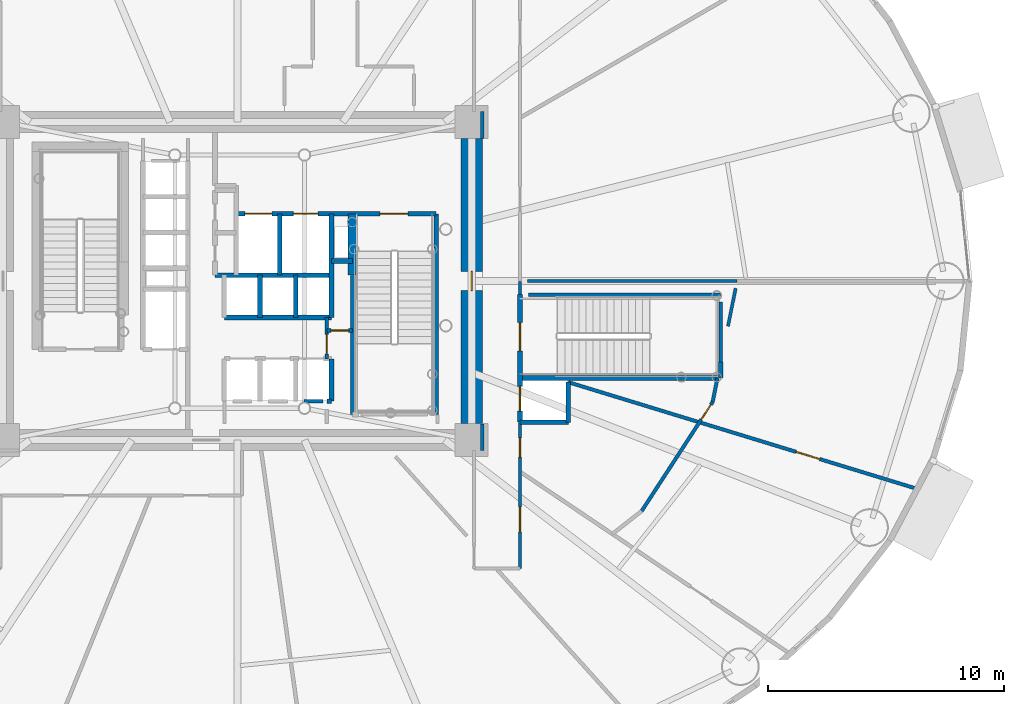
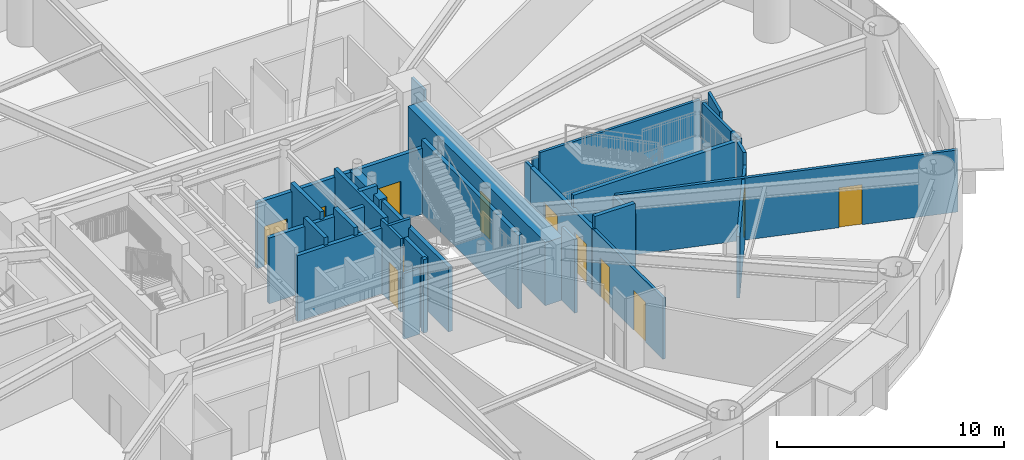
# One storey, part 15 of 29: 33 walls, 12 doors, 12 openings.
"""IFC4 building model written with IfcOpenShell, lengths in metres."""

from ifc_helpers import new_model, si_unit, direction, frame, frame_2d, origin, origin_2d, place, context, subcontext, project, spatial, rectangle, extrude, source, transform, mapped, material, layer, layer_set, type_object, element, fill, save


model = new_model("IFC4")

# Units and contexts
model_context = context("Model", 3, precision=1e-05, world=origin(), true_north=direction((0.0, 1.0)))
body_context = subcontext(model_context, "Body", "Model", "MODEL_VIEW")
ifc_project = project(units=[si_unit("LENGTHUNIT", "METRE"), si_unit("AREAUNIT", "SQUARE_METRE"), si_unit("VOLUMEUNIT", "CUBIC_METRE"), si_unit("PLANEANGLEUNIT", "RADIAN"), si_unit("MASSUNIT", "GRAM", prefix="KILO")], contexts=[model_context])

# Site, building, storey
site_placement = place(None, origin())
site = spatial("IfcSite", under=ifc_project, at=site_placement, CompositionType="ELEMENT")
building_placement = place(site_placement, origin())
building = spatial("IfcBuilding", under=site, at=building_placement, Name="Linh Dai School and Residence Tower", CompositionType="ELEMENT")
storey_placement = place(building_placement, frame((0.0, 0.0, 45.0)))
storey = spatial("IfcBuildingStorey", under=building, at=storey_placement, Name="L10", CompositionType="ELEMENT", Elevation=45.0)

# Wall, opening, door
ifc_material_1 = material(Name="Autoclaved Aerated Concrete Blockwork", Category="masonry")
ifc_layer_1 = layer(ifc_material_1, 0.135009765625)
ifc_layer_set_1 = layer_set([ifc_layer_1], Name="Autoclaved Aerated Concrete Blockwork")
wall_type_1 = type_object("IfcWallType", Name="IW-CORR-135-EI90", PredefinedType="PARTITIONING", material=ifc_layer_set_1)
wall_1_placement = place(storey_placement, frame((39.800048828125, 23.699951171875, 0.0), z_axis=(0.0, 0.0, 1.0), x_axis=(0.0, 1.0, 0.0)))
wall_1 = element("IfcWall", 1, at=wall_1_placement, inside=storey, type_object=wall_type_1, Name="L10 Interior Partition Wall 048", PredefinedType="PARTITIONING", context=body_context, shape_type="SweptSolid", body=[
    extrude(rectangle(XDim=1.75, YDim=0.135009765625, at=frame_2d((0.875, 0.0))), origin(), (0.0, 0.0, 1.0), 3.949951171875),
])
opening_1_placement = place(wall_1_placement, frame((0.2099609375, 0.0, 0.0)))
opening_1 = element("IfcOpeningElement", 2, at=opening_1_placement, cuts=wall_1, Name="Opening D06", PredefinedType="OPENING", context=body_context, shape_type="SweptSolid", body=[
    extrude(rectangle(XDim=0.820068359375, YDim=2.10009765625, at=origin_2d()), frame((0.41015625, 0.07763671875, 1.050048828125), z_axis=(0.0, -1.0, 0.0), x_axis=(1.0, 0.0, 0.0)), (0.0, 0.0, 1.0), 0.155029296875),
])
ifc_material_2 = material(Name="Moisture-Resistant Timber Bathroom Door", Category="wood")
door_type_1 = type_object("IfcDoorType", Name="DR-WET-820x2100", OperationType="NOTDEFINED", PredefinedType="DOOR", material=ifc_material_2)
shared_shape_1 = source(origin(), body_context, "Body", "SweptSolid", [
    extrude(rectangle(XDim=0.820068359375, YDim=2.10009765625, at=origin_2d()), frame((0.41015625, 0.02490234375, 1.050048828125), z_axis=(0.0, -1.0, 0.0), x_axis=(1.0, 0.0, 0.0)), (0.0, 0.0, 1.0), 0.050048828125),
])
door_1_placement = place(opening_1_placement, origin())
door_1 = element("IfcDoor", 3, at=door_1_placement, inside=storey, type_object=door_type_1, Name="L10 SE Metering Closet Door", OperationType="SINGLE_SWING_LEFT", OverallHeight=2.10009765625, OverallWidth=0.820068359375, PredefinedType="DOOR", context=body_context, shape_type="MappedRepresentation", body=[
    mapped(shared_shape_1, transform((0.0, 0.0, 0.0), x_axis=(1.0, 0.0, 0.0), y_axis=(0.0, 1.0, 0.0), z_axis=(0.0, 0.0, 1.0), scale=1.0)),
])
fill(opening_1, door_1)

# Wall, openings, doors
wall_2_placement = place(storey_placement, frame((48.0, 14.800048828125, 0.0), z_axis=(0.0, 0.0, 1.0), x_axis=(0.0, 1.0, 0.0)))
wall_2 = element("IfcWall", 4, at=wall_2_placement, inside=storey, type_object=wall_type_1, Name="L10 Interior Partition Wall 060", PredefinedType="PARTITIONING", context=body_context, shape_type="SweptSolid", body=[
    extrude(rectangle(XDim=6.199951171875, YDim=0.135009765625, at=frame_2d((3.10009765625, 0.0))), origin(), (0.0, 0.0, 1.0), 3.284912109375),
])
opening_2_placement = place(wall_2_placement, frame((1.5478515625, 0.0, 0.0)))
opening_2 = element("IfcOpeningElement", 5, at=opening_2_placement, cuts=wall_2, Name="Opening D04", PredefinedType="OPENING", context=body_context, shape_type="SweptSolid", body=[
    extrude(rectangle(XDim=1.050048828125, YDim=2.14990234375, at=origin_2d()), frame((0.52490234375, 0.07763671875, 1.074951171875), z_axis=(0.0, -1.0, 0.0), x_axis=(1.0, 0.0, 0.0)), (0.0, 0.0, 1.0), 0.155029296875),
])
opening_3_placement = place(wall_2_placement, frame((4.722900390625, 0.0, 0.0)))
opening_3 = element("IfcOpeningElement", 6, at=opening_3_placement, cuts=wall_2, Name="Opening D06", PredefinedType="OPENING", context=body_context, shape_type="SweptSolid", body=[
    extrude(rectangle(XDim=0.820068359375, YDim=2.10009765625, at=origin_2d()), frame((0.41015625, 0.07763671875, 1.050048828125), z_axis=(0.0, -1.0, 0.0), x_axis=(1.0, 0.0, 0.0)), (0.0, 0.0, 1.0), 0.155029296875),
])
ifc_material_3 = material(Name="Acoustic Vision-Panel Timber Classroom Door", Category="wood")
door_type_2 = type_object("IfcDoorType", Name="DR-SCH-1050x2150-FD60S", OperationType="NOTDEFINED", PredefinedType="DOOR", material=ifc_material_3)
shared_shape_2 = source(origin(), body_context, "Body", "SweptSolid", [
    extrude(rectangle(XDim=1.050048828125, YDim=2.14990234375, at=origin_2d()), frame((0.52490234375, 0.02490234375, 1.074951171875), z_axis=(0.0, -1.0, 0.0), x_axis=(1.0, 0.0, 0.0)), (0.0, 0.0, 1.0), 0.050048828125),
])
door_2_placement = place(opening_2_placement, origin())
door_2 = element("IfcDoor", 7, at=door_2_placement, inside=storey, type_object=door_type_2, Name="L10 Year-Group Pastoral Staff Office Door", OperationType="SINGLE_SWING_LEFT", OverallHeight=2.14990234375, OverallWidth=1.050048828125, PredefinedType="DOOR", context=body_context, shape_type="MappedRepresentation", body=[
    mapped(shared_shape_2, transform((0.0, 0.0, 0.0), x_axis=(1.0, 0.0, 0.0), y_axis=(0.0, 1.0, 0.0), z_axis=(0.0, 0.0, 1.0), scale=1.0)),
])
fill(opening_2, door_2)
door_3_placement = place(opening_3_placement, origin())
door_3 = element("IfcDoor", 8, at=door_3_placement, inside=storey, type_object=door_type_1, Name="L10 Floor Boys WC Door", OperationType="SINGLE_SWING_RIGHT", OverallHeight=2.10009765625, OverallWidth=0.820068359375, PredefinedType="DOOR", context=body_context, shape_type="MappedRepresentation", body=[
    mapped(shared_shape_1, transform((0.0, 0.0, 0.0), x_axis=(1.0, 0.0, 0.0), y_axis=(0.0, 1.0, 0.0), z_axis=(0.0, 0.0, 1.0), scale=1.0)),
])
fill(opening_3, door_3)

# Walls
wall_3_placement = place(storey_placement, frame((39.639892578125, 21.89990234375, 0.0), z_axis=(0.0, 0.0, 1.0), x_axis=(-1.0, 0.0, 0.0)))
element("IfcWall", 9, at=wall_3_placement, inside=storey, type_object=wall_type_1, Name="L10 Interior Partition Wall 077", PredefinedType="PARTITIONING", context=body_context, shape_type="SweptSolid", body=[
    extrude(rectangle(XDim=0.7998046875, YDim=0.135009765625, at=frame_2d((0.39990234375, 0.0))), origin(), (0.0, 0.0, 1.0), 3.534912109375),
])
wall_4_placement = place(storey_placement, frame((48.360107421875, 26.419921875, 0.0), z_axis=(0.0, 0.0, 1.0), x_axis=(1.0, 0.0, 0.0)))
element("IfcWall", 10, at=wall_4_placement, inside=storey, type_object=wall_type_1, Name="L10 Interior Partition Wall 084", PredefinedType="PARTITIONING", context=body_context, shape_type="SweptSolid", body=[
    extrude(rectangle(XDim=8.159912109375, YDim=0.135009765625, at=frame_2d((4.080078125, 0.0))), origin(), (0.0, 0.0, 1.0), 3.949951171875),
])
wall_5_placement = place(storey_placement, frame((56.52001953125, 26.112548828125, 0.0), z_axis=(0.0, 0.0, 1.0), x_axis=(0.0, -1.0, 0.0)))
element("IfcWall", 11, at=wall_5_placement, inside=storey, type_object=wall_type_1, Name="L10 Interior Partition Wall 085", PredefinedType="PARTITIONING", context=body_context, shape_type="SweptSolid", body=[
    extrude(rectangle(XDim=2.54345703125, YDim=0.135009765625, at=frame_2d((1.271728515625, 0.0))), origin(), (0.0, 0.0, 1.0), 3.949951171875),
])
wall_6_placement = place(storey_placement, frame((48.0, 26.989990234375, 0.0), z_axis=(0.0, 0.0, 1.0), x_axis=(0.0, -1.0, 0.0)))
element("IfcWall", 12, at=wall_6_placement, inside=storey, type_object=wall_type_1, Name="L10 Interior Partition Wall 086", PredefinedType="PARTITIONING", context=body_context, shape_type="SweptSolid", body=[
    extrude(rectangle(XDim=0.56005859375, YDim=0.135009765625, at=frame_2d((0.280029296875, 0.0))), origin(), (0.0, 0.0, 1.0), 3.284912109375),
])
for number, where, z_axis, x_axis, name in (
    (13, (46.39990234375, 19.800048828125, 0.0), (0.0, 0.0, 1.0), (0.0, 1.0, 0.0), "L10 Interior Partition Wall 088"),
    (14, (46.39990234375, 33.06005859375, 0.0), (0.0, 0.0, 1.0), (0.0, 1.0, 0.0), "L10 Interior Partition Wall 089"),
):
    element("IfcWall", number, at=place(storey_placement, frame(where, z_axis=z_axis, x_axis=x_axis)), inside=storey, type_object=wall_type_1, Name=name, PredefinedType="PARTITIONING", context=body_context, shape_type="SweptSolid", body=[
        extrude(rectangle(XDim=1.139892578125, YDim=0.135009765625, at=frame_2d((0.56982421875, 0.0))), origin(), (0.0, 0.0, 1.0), 3.949951171875),
    ])
wall_7_placement = place(storey_placement, frame((57.2060546875, 27.0, 0.0), z_axis=(0.0, 0.0, 1.0), x_axis=(-1.0, 0.0, 0.0)))
element("IfcWall", 15, at=wall_7_placement, inside=storey, type_object=wall_type_1, Name="L10 Interior Partition Wall 103", PredefinedType="PARTITIONING", context=body_context, shape_type="SweptSolid", body=[
    extrude(rectangle(XDim=8.878662109375, YDim=0.135009765625, at=frame_2d((4.439453125, 0.0))), origin(), (0.0, 0.0, 1.0), 3.284912109375),
])
wall_8_placement = place(storey_placement, frame((56.827392578125, 25.079345703125, 0.0), z_axis=(0.0, 0.0, 1.0), x_axis=(0.198340845342, 0.980133107832, 0.0)))
element("IfcWall", 16, at=wall_8_placement, inside=storey, type_object=wall_type_1, Name="L10 Interior Partition Wall 105", PredefinedType="PARTITIONING", context=body_context, shape_type="SweptSolid", body=[
    extrude(rectangle(XDim=1.645751953125, YDim=0.135009765625, at=frame_2d((0.82275390625, 0.0))), origin(), (0.0, 0.0, 1.0), 3.949951171875),
])

# Wall, opening, door
ifc_layer_2 = layer(ifc_material_1, 0.14990234375)
ifc_layer_set_2 = layer_set([ifc_layer_2], Name="Autoclaved Aerated Concrete Blockwork")
wall_type_2 = type_object("IfcWallType", Name="IW-SCH-150-EI60", PredefinedType="PARTITIONING", material=ifc_layer_set_2)
wall_9_placement = place(storey_placement, frame((39.800048828125, 24.89990234375, 0.0), z_axis=(0.0, 0.0, 1.0), x_axis=(1.0, 0.0, 0.0)))
wall_9 = element("IfcWall", 17, at=wall_9_placement, inside=storey, type_object=wall_type_2, Name="L10 Interior Partition Wall 049", PredefinedType="PARTITIONING", context=body_context, shape_type="SweptSolid", body=[
    extrude(rectangle(XDim=1.099853515625, YDim=0.14990234375, at=frame_2d((0.5498046875, 0.0))), origin(), (0.0, 0.0, 1.0), 3.949951171875),
])
opening_4_placement = place(wall_9_placement, frame((0.169921875, 0.0, 0.0)))
opening_4 = element("IfcOpeningElement", 18, at=opening_4_placement, cuts=wall_9, Name="Opening D08", PredefinedType="OPENING", context=body_context, shape_type="SweptSolid", body=[
    extrude(rectangle(XDim=0.760009765625, YDim=2.10009765625, at=origin_2d()), frame((0.3798828125, 0.0849609375, 1.050048828125), z_axis=(0.0, -1.0, 0.0), x_axis=(1.0, 0.0, 0.0)), (0.0, 0.0, 1.0), 0.169921875),
])
ifc_material_4 = material(Name="Engineered Timber Closet and Study Door", Category="wood")
door_type_3 = type_object("IfcDoorType", Name="DR-CMP-760x2100", OperationType="NOTDEFINED", PredefinedType="DOOR", material=ifc_material_4)
shared_shape_3 = source(origin(), body_context, "Body", "SweptSolid", [
    extrude(rectangle(XDim=0.760009765625, YDim=2.10009765625, at=origin_2d()), frame((0.3798828125, 0.02490234375, 1.050048828125), z_axis=(0.0, -1.0, 0.0), x_axis=(1.0, 0.0, 0.0)), (0.0, 0.0, 1.0), 0.050048828125),
])
door_4_placement = place(opening_4_placement, origin())
door_4 = element("IfcDoor", 19, at=door_4_placement, inside=storey, type_object=door_type_3, Name="L10 NE Cleaners Store Door", OperationType="SINGLE_SWING_RIGHT", OverallHeight=2.10009765625, OverallWidth=0.760009765625, PredefinedType="DOOR", context=body_context, shape_type="MappedRepresentation", body=[
    mapped(shared_shape_3, transform((0.0, 0.0, 0.0), x_axis=(1.0, 0.0, 0.0), y_axis=(0.0, 1.0, 0.0), z_axis=(0.0, 0.0, 1.0), scale=1.0)),
])
fill(opening_4, door_4)

wall_10_placement = place(storey_placement, frame((50.050048828125, 22.70458984375, 0.0), z_axis=(0.0, 0.0, 1.0), x_axis=(0.9563012706, -0.292383104588, 0.0)))
wall_10 = element("IfcWall", 20, at=wall_10_placement, inside=storey, type_object=wall_type_2, Name="L10 Interior Partition Wall 068", PredefinedType="PARTITIONING", context=body_context, shape_type="SweptSolid", body=[
    extrude(rectangle(XDim=15.490234375, YDim=0.14990234375, at=frame_2d((7.7451171875, 0.0))), origin(), (0.0, 0.0, 1.0), 3.3349609375),
])
opening_5_placement = place(wall_10_placement, frame((10.110107421875, 0.0, 0.0)))
opening_5 = element("IfcOpeningElement", 21, at=opening_5_placement, cuts=wall_10, Name="Opening D04", PredefinedType="OPENING", context=body_context, shape_type="SweptSolid", body=[
    extrude(rectangle(XDim=1.050048828125, YDim=2.14990234375, at=origin_2d()), frame((0.52490234375, 0.0849609375, 1.074951171875), z_axis=(0.0, -1.0, 0.0), x_axis=(1.0, 0.0, 0.0)), (0.0, 0.0, 1.0), 0.169921875),
])
door_5_placement = place(opening_5_placement, origin())
door_5 = element("IfcDoor", 22, at=door_5_placement, inside=storey, type_object=door_type_2, Name="L10 Resource Study Room GWC Door", OperationType="SINGLE_SWING_RIGHT", OverallHeight=2.14990234375, OverallWidth=1.050048828125, PredefinedType="DOOR", context=body_context, shape_type="MappedRepresentation", body=[
    mapped(shared_shape_2, transform((0.0, 0.0, 0.0), x_axis=(1.0, 0.0, 0.0), y_axis=(0.0, 1.0, 0.0), z_axis=(0.0, 0.0, 1.0), scale=1.0)),
])
fill(opening_5, door_5)

wall_11_placement = place(storey_placement, frame((53.1640625, 17.235595703125, 0.0), z_axis=(0.0, 0.0, 1.0), x_axis=(0.545448002944, 0.838144662981, 0.0)))
wall_11 = element("IfcWall", 23, at=wall_11_placement, inside=storey, type_object=wall_type_2, Name="L10 Interior Partition Wall 070", PredefinedType="PARTITIONING", context=body_context, shape_type="SweptSolid", body=[
    extrude(rectangle(XDim=5.525146484375, YDim=0.14990234375, at=frame_2d((2.7626953125, 0.0))), origin(), (0.0, 0.0, 1.0), 3.284912109375),
])
opening_6_placement = place(wall_11_placement, frame((4.631103515625, 0.0, 0.0)))
opening_6 = element("IfcOpeningElement", 24, at=opening_6_placement, cuts=wall_11, Name="Opening D08", PredefinedType="OPENING", context=body_context, shape_type="SweptSolid", body=[
    extrude(rectangle(XDim=0.760009765625, YDim=2.10009765625, at=origin_2d()), frame((0.3798828125, 0.0849609375, 1.050048828125), z_axis=(0.0, -1.0, 0.0), x_axis=(1.0, 0.0, 0.0)), (0.0, 0.0, 1.0), 0.169921875),
])
door_6_placement = place(opening_6_placement, origin())
door_6 = element("IfcDoor", 25, at=door_6_placement, inside=storey, type_object=door_type_3, Name="L10 Floor Girls WC Door", OperationType="SINGLE_SWING_LEFT", OverallHeight=2.10009765625, OverallWidth=0.760009765625, PredefinedType="DOOR", context=body_context, shape_type="MappedRepresentation", body=[
    mapped(shared_shape_3, transform((0.0, 0.0, 0.0), x_axis=(1.0, 0.0, 0.0), y_axis=(0.0, 1.0, 0.0), z_axis=(0.0, 0.0, 1.0), scale=1.0)),
])
fill(opening_6, door_6)

# Walls
wall_12_placement = place(storey_placement, frame((56.177734375, 21.866455078125, 0.0), z_axis=(0.0, 0.0, 1.0), x_axis=(0.198113758035, 0.980179034094, 0.0)))
element("IfcWall", 26, at=wall_12_placement, inside=storey, type_object=wall_type_2, Name="L10 Interior Partition Wall 071", PredefinedType="PARTITIONING", context=body_context, shape_type="SweptSolid", body=[
    extrude(rectangle(XDim=1.033935546875, YDim=0.14990234375, at=frame_2d((0.51708984375, 0.0))), origin(), (0.0, 0.0, 1.0), 3.949951171875),
])
ifc_material_5 = material(Name="Concrete B45 (C35/45)", Category="concrete")
ifc_layer_3 = layer(ifc_material_5, 0.199951171875)
ifc_layer_set_3 = layer_set([ifc_layer_3], Name="Concrete B45 (C35/45)")
wall_type_3 = type_object("IfcWallType", Name="IW-SHAFT-200-EI120", PredefinedType="PARTITIONING", material=ifc_layer_set_3)
wall_13_placement = place(storey_placement, frame((35.050048828125, 27.25, 0.0), z_axis=(0.0, 0.0, 1.0), x_axis=(1.0, 0.0, 0.0)))
element("IfcWall", 27, at=wall_13_placement, inside=storey, type_object=wall_type_3, Name="L10 Interior Partition Wall 028", PredefinedType="PARTITIONING", context=body_context, shape_type="SweptSolid", body=[
    extrude(rectangle(XDim=4.949951171875, YDim=0.199951171875, at=frame_2d((2.47509765625, 0.0))), origin(), (0.0, 0.0, 1.0), 3.534912109375),
])
wall_14_placement = place(storey_placement, frame((35.449951171875, 25.449951171875, 0.0), z_axis=(0.0, 0.0, 1.0), x_axis=(1.0, 0.0, 0.0)))
element("IfcWall", 28, at=wall_14_placement, inside=storey, type_object=wall_type_3, Name="L10 Interior Partition Wall 036", PredefinedType="PARTITIONING", context=body_context, shape_type="SweptSolid", body=[
    extrude(rectangle(XDim=4.550048828125, YDim=0.199951171875, at=frame_2d((2.27490234375, 0.0))), origin(), (0.0, 0.0, 1.0), 3.534912109375),
])

# Wall, openings, doors
wall_15_placement = place(storey_placement, frame((35.949951171875, 29.85009765625, 0.0), z_axis=(0.0, 0.0, 1.0), x_axis=(1.0, 0.0, 0.0)))
wall_15 = element("IfcWall", 29, at=wall_15_placement, inside=storey, type_object=wall_type_3, Name="L10 Interior Partition Wall 038", PredefinedType="PARTITIONING", context=body_context, shape_type="SweptSolid", body=[
    extrude(rectangle(XDim=8.489990234375, YDim=0.199951171875, at=frame_2d((4.2451171875, 0.0))), origin(), (0.0, 0.0, 1.0), 3.534912109375),
])
opening_7_placement = place(wall_15_placement, frame((6.10009765625, 0.0, 0.0)))
opening_7 = element("IfcOpeningElement", 30, at=opening_7_placement, cuts=wall_15, Name="Opening D01", PredefinedType="OPENING", context=body_context, shape_type="SweptSolid", body=[
    extrude(rectangle(XDim=1.199951171875, YDim=2.14990234375, at=origin_2d()), frame((0.60009765625, 0.10986328125, 1.074951171875), z_axis=(0.0, -1.0, 0.0), x_axis=(1.0, 0.0, 0.0)), (0.0, 0.0, 1.0), 0.219970703125),
])
opening_8_placement = place(wall_15_placement, frame((0.3701171875, 0.0, 0.0)))
opening_8 = element("IfcOpeningElement", 31, at=opening_8_placement, cuts=wall_15, Name="Opening LD-FF1", PredefinedType="OPENING", context=body_context, shape_type="SweptSolid", body=[
    extrude(rectangle(XDim=1.14990234375, YDim=2.14990234375, at=origin_2d()), frame((0.574951171875, 0.10986328125, 1.074951171875), z_axis=(0.0, -1.0, 0.0), x_axis=(1.0, 0.0, 0.0)), (0.0, 0.0, 1.0), 0.219970703125),
])
opening_9_placement = place(wall_15_placement, frame((2.425048828125, 0.0, 0.0)))
opening_9 = element("IfcOpeningElement", 32, at=opening_9_placement, cuts=wall_15, Name="Opening LD-SV1", PredefinedType="OPENING", context=body_context, shape_type="SweptSolid", body=[
    extrude(rectangle(XDim=1.050048828125, YDim=2.14990234375, at=origin_2d()), frame((0.52490234375, 0.10986328125, 1.074951171875), z_axis=(0.0, -1.0, 0.0), x_axis=(1.0, 0.0, 0.0)), (0.0, 0.0, 1.0), 0.219970703125),
])
ifc_material_6 = material(Name="Fire-Rated Steel Door Leaf", Category="steel")
door_type_4 = type_object("IfcDoorType", Name="DR-STAIR-1200x2150-FD90S", OperationType="NOTDEFINED", PredefinedType="DOOR", material=ifc_material_6)
shared_shape_4 = source(origin(), body_context, "Body", "SweptSolid", [
    extrude(rectangle(XDim=1.199951171875, YDim=2.14990234375, at=origin_2d()), frame((0.60009765625, 0.02490234375, 1.074951171875), z_axis=(0.0, -1.0, 0.0), x_axis=(1.0, 0.0, 0.0)), (0.0, 0.0, 1.0), 0.050048828125),
])
door_7_placement = place(opening_7_placement, origin())
door_7 = element("IfcDoor", 33, at=door_7_placement, inside=storey, type_object=door_type_4, Name="L10 Core Smokeproof Exit Stair ST2 Door", OperationType="SINGLE_SWING_RIGHT", OverallHeight=2.14990234375, OverallWidth=1.199951171875, PredefinedType="DOOR", context=body_context, shape_type="MappedRepresentation", body=[
    mapped(shared_shape_4, transform((0.0, 0.0, 0.0), x_axis=(1.0, 0.0, 0.0), y_axis=(0.0, 1.0, 0.0), z_axis=(0.0, 0.0, 1.0), scale=1.0)),
])
fill(opening_7, door_7)
ifc_material_7 = material(Name="Fire-Rated Stainless Steel Firefighting Lift Door", Category="steel")
door_type_5 = type_object("IfcDoorType", Name="DR-LD-FF-1150x2150-FD120", OperationType="DOUBLE_DOOR_SLIDING", PredefinedType="USERDEFINED", material=ifc_material_7)
shared_shape_5 = source(origin(), body_context, "Body", "SweptSolid", [
    extrude(rectangle(XDim=1.14990234375, YDim=2.14990234375, at=origin_2d()), frame((0.574951171875, 0.02490234375, 1.074951171875), z_axis=(0.0, -1.0, 0.0), x_axis=(1.0, 0.0, 0.0)), (0.0, 0.0, 1.0), 0.050048828125),
])
door_8_placement = place(opening_8_placement, origin())
door_8 = element("IfcDoor", 34, at=door_8_placement, inside=storey, type_object=door_type_5, Name="L10 Lift FF1 Sliding Landing Door", ObjectType="LANDING DOOR", OperationType="DOUBLE_DOOR_SLIDING", OverallHeight=2.14990234375, OverallWidth=1.14990234375, PredefinedType="USERDEFINED", context=body_context, shape_type="MappedRepresentation", body=[
    mapped(shared_shape_5, transform((0.0, 0.0, 0.0), x_axis=(1.0, 0.0, 0.0), y_axis=(0.0, 1.0, 0.0), z_axis=(0.0, 0.0, 1.0), scale=1.0)),
])
fill(opening_8, door_8)
ifc_material_8 = material(Name="Brushed Stainless Steel Lift Landing Door", Category="steel")
door_type_6 = type_object("IfcDoorType", Name="DR-LD-PASS-1050x2150", OperationType="DOUBLE_DOOR_SLIDING", PredefinedType="USERDEFINED", material=ifc_material_8)
shared_shape_6 = source(origin(), body_context, "Body", "SweptSolid", [
    extrude(rectangle(XDim=1.050048828125, YDim=2.14990234375, at=origin_2d()), frame((0.52490234375, 0.02490234375, 1.074951171875), z_axis=(0.0, -1.0, 0.0), x_axis=(1.0, 0.0, 0.0)), (0.0, 0.0, 1.0), 0.050048828125),
])
door_9_placement = place(opening_9_placement, origin())
door_9 = element("IfcDoor", 35, at=door_9_placement, inside=storey, type_object=door_type_6, Name="L10 Lift SV1 Sliding Landing Door", ObjectType="LANDING DOOR", OperationType="DOUBLE_DOOR_SLIDING", OverallHeight=2.14990234375, OverallWidth=1.050048828125, PredefinedType="USERDEFINED", context=body_context, shape_type="MappedRepresentation", body=[
    mapped(shared_shape_6, transform((0.0, 0.0, 0.0), x_axis=(1.0, 0.0, 0.0), y_axis=(0.0, 1.0, 0.0), z_axis=(0.0, 0.0, 1.0), scale=1.0)),
])
fill(opening_9, door_9)

# Walls
wall_16_placement = place(storey_placement, frame((36.9599609375, 25.449951171875, 0.0), z_axis=(0.0, 0.0, 1.0), x_axis=(0.0, 1.0, 0.0)))
element("IfcWall", 36, at=wall_16_placement, inside=storey, type_object=wall_type_3, Name="L10 Interior Partition Wall 042", PredefinedType="PARTITIONING", context=body_context, shape_type="SweptSolid", body=[
    extrude(rectangle(XDim=1.800048828125, YDim=0.199951171875, at=frame_2d((0.89990234375, 0.0))), origin(), (0.0, 0.0, 1.0), 3.949951171875),
])
wall_17_placement = place(storey_placement, frame((37.800048828125, 27.25, 0.0), z_axis=(0.0, 0.0, 1.0), x_axis=(0.0, 1.0, 0.0)))
element("IfcWall", 37, at=wall_17_placement, inside=storey, type_object=wall_type_3, Name="L10 Interior Partition Wall 044", PredefinedType="PARTITIONING", context=body_context, shape_type="SweptSolid", body=[
    extrude(rectangle(XDim=2.60009765625, YDim=0.199951171875, at=frame_2d((1.300048828125, 0.0))), origin(), (0.0, 0.0, 1.0), 3.949951171875),
])
wall_18_placement = place(storey_placement, frame((38.47998046875, 25.449951171875, 0.0), z_axis=(0.0, 0.0, 1.0), x_axis=(0.0, 1.0, 0.0)))
element("IfcWall", 38, at=wall_18_placement, inside=storey, type_object=wall_type_3, Name="L10 Interior Partition Wall 046", PredefinedType="PARTITIONING", context=body_context, shape_type="SweptSolid", body=[
    extrude(rectangle(XDim=1.800048828125, YDim=0.199951171875, at=frame_2d((0.89990234375, 0.0))), origin(), (0.0, 0.0, 1.0), 3.949951171875),
])
wall_19_placement = place(storey_placement, frame((39.800048828125, 21.89990234375, 0.0), z_axis=(0.0, 0.0, 1.0), x_axis=(1.0, 0.0, 0.0)))
element("IfcWall", 39, at=wall_19_placement, inside=storey, type_object=wall_type_3, Name="L10 Interior Partition Wall 047", PredefinedType="PARTITIONING", context=body_context, shape_type="SweptSolid", body=[
    extrude(rectangle(XDim=0.199951171875, YDim=0.199951171875, at=frame_2d((0.10009765625, 0.0))), origin(), (0.0, 0.0, 1.0), 3.949951171875),
])
wall_20_placement = place(storey_placement, frame((40.0, 21.89990234375, 0.0), z_axis=(0.0, 0.0, 1.0), x_axis=(0.0, 1.0, 0.0)))
element("IfcWall", 40, at=wall_20_placement, inside=storey, type_object=wall_type_3, Name="L10 Interior Partition Wall 050", PredefinedType="PARTITIONING", context=body_context, shape_type="SweptSolid", body=[
    extrude(rectangle(XDim=1.800048828125, YDim=0.199951171875, at=frame_2d((0.89990234375, 0.0))), origin(), (0.0, 0.0, 1.0), 3.949951171875),
])
wall_21_placement = place(storey_placement, frame((40.0, 25.449951171875, 0.0), z_axis=(0.0, 0.0, 1.0), x_axis=(0.0, 1.0, 0.0)))
element("IfcWall", 41, at=wall_21_placement, inside=storey, type_object=wall_type_3, Name="L10 Interior Partition Wall 051", PredefinedType="PARTITIONING", context=body_context, shape_type="SweptSolid", body=[
    extrude(rectangle(XDim=4.400146484375, YDim=0.199951171875, at=frame_2d((2.2001953125, 0.0))), origin(), (0.0, 0.0, 1.0), 3.949951171875),
])
wall_22_placement = place(storey_placement, frame((40.0, 27.85009765625, 0.0), z_axis=(0.0, 0.0, 1.0), x_axis=(1.0, 0.0, 0.0)))
element("IfcWall", 42, at=wall_22_placement, inside=storey, type_object=wall_type_3, Name="L10 Interior Partition Wall 052", PredefinedType="PARTITIONING", context=body_context, shape_type="SweptSolid", body=[
    extrude(rectangle(XDim=0.89990234375, YDim=0.199951171875, at=frame_2d((0.449951171875, 0.0))), origin(), (0.0, 0.0, 1.0), 3.949951171875),
])
wall_23_placement = place(storey_placement, frame((40.89990234375, 21.330078125, 0.0), z_axis=(0.0, 0.0, 1.0), x_axis=(0.0, 1.0, 0.0)))
element("IfcWall", 43, at=wall_23_placement, inside=storey, type_object=wall_type_3, Name="L10 Interior Partition Wall 053", PredefinedType="PARTITIONING", context=body_context, shape_type="SweptSolid", body=[
    extrude(rectangle(XDim=5.909912109375, YDim=0.199951171875, at=frame_2d((2.955078125, 0.0))), origin(), (0.0, 0.0, 1.0), 3.485107421875),
])
wall_24_placement = place(storey_placement, frame((44.43994140625, 21.330078125, 0.0), z_axis=(0.0, 0.0, 1.0), x_axis=(0.0, 1.0, 0.0)))
element("IfcWall", 44, at=wall_24_placement, inside=storey, type_object=wall_type_3, Name="L10 Interior Partition Wall 056", PredefinedType="PARTITIONING", context=body_context, shape_type="SweptSolid", body=[
    extrude(rectangle(XDim=8.52001953125, YDim=0.199951171875, at=frame_2d((4.260009765625, 0.0))), origin(), (0.0, 0.0, 1.0), 3.949951171875),
])

# Wall, openings, doors
wall_25_placement = place(storey_placement, frame((48.0, 21.010009765625, 0.0), z_axis=(0.0, 0.0, 1.0), x_axis=(0.0, 1.0, 0.0)))
wall_25 = element("IfcWall", 45, at=wall_25_placement, inside=storey, type_object=wall_type_3, Name="L10 Interior Partition Wall 062", PredefinedType="PARTITIONING", context=body_context, shape_type="SweptSolid", body=[
    extrude(rectangle(XDim=5.409912109375, YDim=0.199951171875, at=frame_2d((2.705078125, 0.0))), origin(), (0.0, 0.0, 1.0), 3.284912109375),
])
opening_10_placement = place(wall_25_placement, frame((3.02001953125, 0.0, 0.0)))
opening_10 = element("IfcOpeningElement", 46, at=opening_10_placement, cuts=wall_25, Name="Opening D01", PredefinedType="OPENING", context=body_context, shape_type="SweptSolid", body=[
    extrude(rectangle(XDim=1.199951171875, YDim=2.14990234375, at=origin_2d()), frame((0.60009765625, 0.10986328125, 1.074951171875), z_axis=(0.0, -1.0, 0.0), x_axis=(1.0, 0.0, 0.0)), (0.0, 0.0, 1.0), 0.219970703125),
])
opening_11_placement = place(wall_25_placement, frame((0.465087890625, 0.0, 0.0)))
opening_11 = element("IfcOpeningElement", 47, at=opening_11_placement, cuts=wall_25, Name="Opening LD-SL2", PredefinedType="OPENING", context=body_context, shape_type="SweptSolid", body=[
    extrude(rectangle(XDim=1.050048828125, YDim=2.14990234375, at=origin_2d()), frame((0.52490234375, 0.10986328125, 1.074951171875), z_axis=(0.0, -1.0, 0.0), x_axis=(1.0, 0.0, 0.0)), (0.0, 0.0, 1.0), 0.219970703125),
])
door_10_placement = place(opening_10_placement, origin())
door_10 = element("IfcDoor", 48, at=door_10_placement, inside=storey, type_object=door_type_4, Name="L10 Exit Stair STS2 Door", OperationType="SINGLE_SWING_RIGHT", OverallHeight=2.14990234375, OverallWidth=1.199951171875, PredefinedType="DOOR", context=body_context, shape_type="MappedRepresentation", body=[
    mapped(shared_shape_4, transform((0.0, 0.0, 0.0), x_axis=(1.0, 0.0, 0.0), y_axis=(0.0, 1.0, 0.0), z_axis=(0.0, 0.0, 1.0), scale=1.0)),
])
fill(opening_10, door_10)
door_11_placement = place(opening_11_placement, origin())
door_11 = element("IfcDoor", 49, at=door_11_placement, inside=storey, type_object=door_type_6, Name="L10 Lift SL2 Sliding Landing Door", ObjectType="LANDING DOOR", OperationType="DOUBLE_DOOR_SLIDING", OverallHeight=2.14990234375, OverallWidth=1.050048828125, PredefinedType="USERDEFINED", context=body_context, shape_type="MappedRepresentation", body=[
    mapped(shared_shape_6, transform((0.0, 0.0, 0.0), x_axis=(1.0, 0.0, 0.0), y_axis=(0.0, 1.0, 0.0), z_axis=(0.0, 0.0, 1.0), scale=1.0)),
])
fill(opening_11, door_11)

# Walls
wall_26_placement = place(storey_placement, frame((48.0, 21.0, 0.0), z_axis=(0.0, 0.0, 1.0), x_axis=(1.0, 0.0, 0.0)))
element("IfcWall", 50, at=wall_26_placement, inside=storey, type_object=wall_type_3, Name="L10 Interior Partition Wall 063", PredefinedType="PARTITIONING", context=body_context, shape_type="SweptSolid", body=[
    extrude(rectangle(XDim=2.050048828125, YDim=0.199951171875, at=frame_2d((1.02490234375, 0.0))), origin(), (0.0, 0.0, 1.0), 3.949951171875),
])
wall_27_placement = place(storey_placement, frame((48.0, 22.8798828125, 0.0), z_axis=(0.0, 0.0, 1.0), x_axis=(1.0, 0.0, 0.0)))
element("IfcWall", 51, at=wall_27_placement, inside=storey, type_object=wall_type_3, Name="L10 Interior Partition Wall 064", PredefinedType="PARTITIONING", context=body_context, shape_type="SweptSolid", body=[
    extrude(rectangle(XDim=8.382568359375, YDim=0.199951171875, at=frame_2d((4.19140625, 0.0))), origin(), (0.0, 0.0, 1.0), 3.949951171875),
])
wall_28_placement = place(storey_placement, frame((50.050048828125, 21.0, 0.0), z_axis=(0.0, 0.0, 1.0), x_axis=(0.0, 1.0, 0.0)))
element("IfcWall", 52, at=wall_28_placement, inside=storey, type_object=wall_type_3, Name="L10 Interior Partition Wall 067", PredefinedType="PARTITIONING", context=body_context, shape_type="SweptSolid", body=[
    extrude(rectangle(XDim=1.70458984375, YDim=0.199951171875, at=frame_2d((0.852294921875, 0.0))), origin(), (0.0, 0.0, 1.0), 3.284912109375),
])
wall_29_placement = place(storey_placement, frame((56.52001953125, 22.8798828125, 0.0), z_axis=(0.0, 0.0, 1.0), x_axis=(0.0, 1.0, 0.0)))
element("IfcWall", 53, at=wall_29_placement, inside=storey, type_object=wall_type_3, Name="L10 Interior Partition Wall 072", PredefinedType="PARTITIONING", context=body_context, shape_type="SweptSolid", body=[
    extrude(rectangle(XDim=0.67919921875, YDim=0.199951171875, at=frame_2d((0.339599609375, 0.0))), origin(), (0.0, 0.0, 1.0), 3.949951171875),
])
ifc_layer_4 = layer(ifc_material_5, 0.39990234375)
ifc_layer_set_4 = layer_set([ifc_layer_4], Name="Concrete B45 (C35/45)")
wall_type_4 = type_object("IfcWallType", Name="WL-CORE400", PredefinedType="SHEAR", material=ifc_layer_set_4)
wall_30_placement = place(storey_placement, frame((40.89990234375, 27.25, 0.0), z_axis=(0.0, 0.0, 1.0), x_axis=(0.0, 1.0, 0.0)))
element("IfcWall", 54, at=wall_30_placement, inside=storey, type_object=wall_type_4, Name="L10 Internal Core Shear Wall IE", PredefinedType="SHEAR", context=body_context, shape_type="SweptSolid", body=[
    extrude(rectangle(XDim=2.60009765625, YDim=0.39990234375, at=frame_2d((1.300048828125, 0.0))), origin(), (0.0, 0.0, 1.0), 3.550048828125),
])

# Wall, opening, door
ifc_material_9 = material(Name="Concrete B60 (C50/60)", Category="concrete")
ifc_layer_5 = layer(ifc_material_9, 0.89990234375)
ifc_layer_set_5 = layer_set([ifc_layer_5], Name="Concrete B60 (C50/60)")
wall_type_5 = type_object("IfcWallType", Name="WL-CORE900", PredefinedType="SHEAR", material=ifc_layer_set_5)
wall_31_placement = place(storey_placement, frame((45.949951171875, 33.050048828125, 0.0), z_axis=(0.0, 0.0, 1.0), x_axis=(0.0, -1.0, 0.0)))
wall_31 = element("IfcWall", 55, at=wall_31_placement, inside=storey, type_object=wall_type_5, Name="L10 Central Core Shear Wall E", PredefinedType="SHEAR", context=body_context, shape_type="SweptSolid", body=[
    extrude(rectangle(XDim=12.10009765625, YDim=0.89990234375, at=frame_2d((6.050048828125, 0.0))), origin(), (0.0, 0.0, 1.0), 3.39990234375),
])
opening_12_placement = place(wall_31_placement, frame((5.639892578125, 0.0, 0.0)))
opening_12 = element("IfcOpeningElement", 56, at=opening_12_placement, cuts=wall_31, Name="Opening D06", PredefinedType="OPENING", context=body_context, shape_type="SweptSolid", body=[
    extrude(rectangle(XDim=0.820068359375, YDim=2.10009765625, at=origin_2d()), frame((0.41015625, 0.4599609375, 1.050048828125), z_axis=(0.0, -1.0, 0.0), x_axis=(1.0, 0.0, 0.0)), (0.0, 0.0, 1.0), 0.919921875),
])
door_12_placement = place(opening_12_placement, origin())
door_12 = element("IfcDoor", 57, at=door_12_placement, inside=storey, type_object=door_type_1, Name="L10 Firefighting Lobby Door", OperationType="SINGLE_SWING_LEFT", OverallHeight=2.10009765625, OverallWidth=0.820068359375, PredefinedType="DOOR", context=body_context, shape_type="MappedRepresentation", body=[
    mapped(shared_shape_1, transform((0.0, 0.0, 0.0), x_axis=(1.0, 0.0, 0.0), y_axis=(0.0, 1.0, 0.0), z_axis=(0.0, 0.0, 1.0), scale=1.0)),
])
fill(opening_12, door_12)

save(model, "model.ifc")
